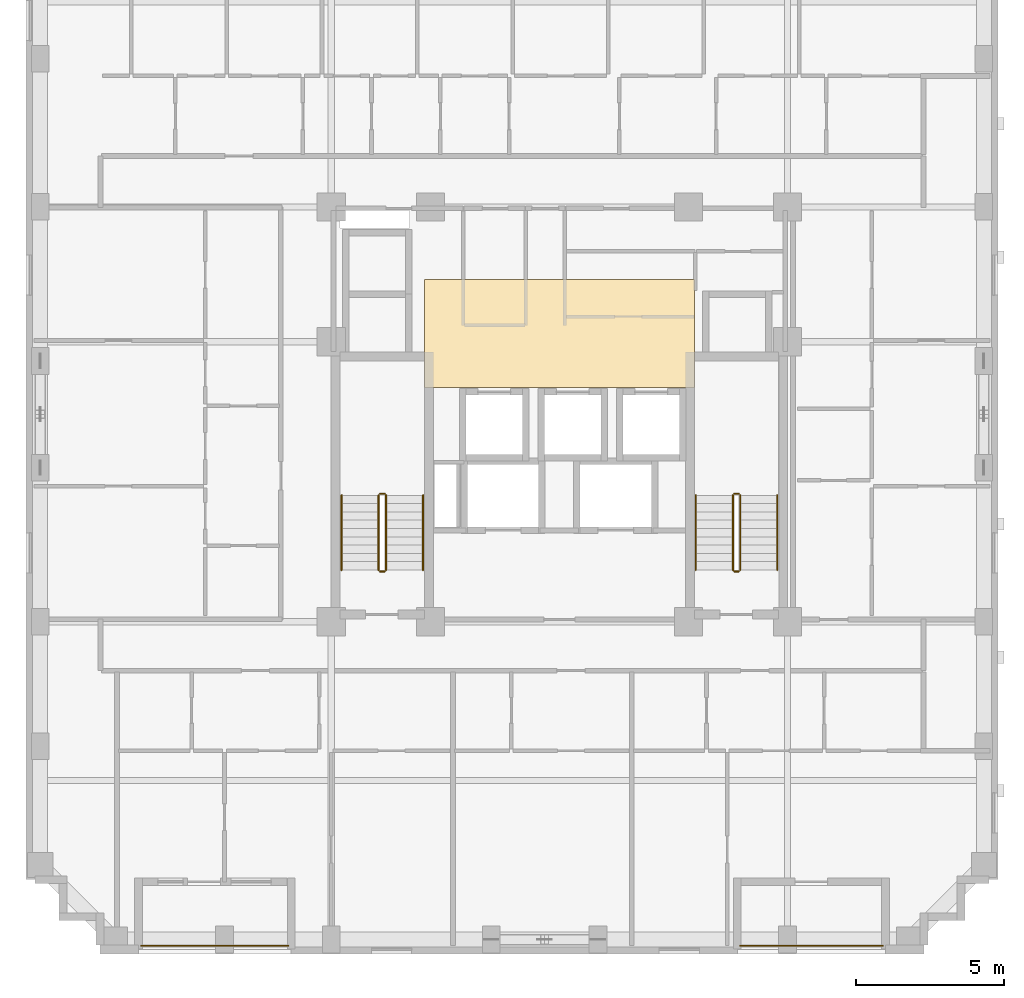
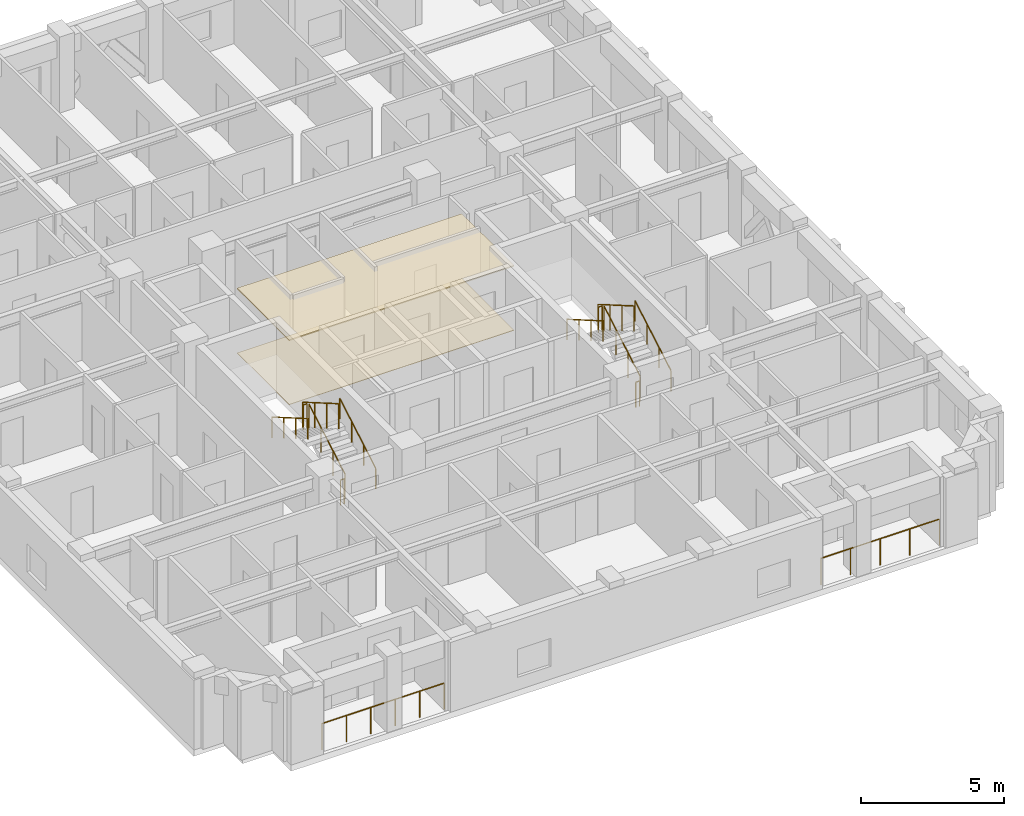
# One storey, part 10 of 11: 14 railings, 2 coverings.
"""IFC4 building model written with IfcOpenShell, lengths in metres."""

from ifc_helpers import new_model, si_unit, derived_unit, direction, frame, origin, origin_2d, place, context, subcontext, project, spatial, polyline, circle, outline, extrude, material, layer, layer_set, type_object, element, save


model = new_model("IFC4")

# Units and contexts
model_context = context("Model", 3, precision=1e-05, world=origin(), true_north=direction((0.0, 1.0)))
body_context = subcontext(model_context, "Body", "Model", "MODEL_VIEW")
ifc_project = project(units=[si_unit("LENGTHUNIT", "METRE"), si_unit("AREAUNIT", "SQUARE_METRE"), si_unit("VOLUMEUNIT", "CUBIC_METRE"), si_unit("PLANEANGLEUNIT", "RADIAN"), si_unit("MASSUNIT", "GRAM", prefix="KILO"), derived_unit("THERMALTRANSMITTANCEUNIT", [(si_unit("MASSUNIT", "GRAM", prefix="KILO"), 1), (si_unit("TIMEUNIT", "SECOND"), -3), (si_unit("THERMODYNAMICTEMPERATUREUNIT", "KELVIN"), -1)])], contexts=[model_context])

# Site, building, storey
site_placement = place(None, origin())
site = spatial("IfcSite", under=ifc_project, at=site_placement, CompositionType="ELEMENT")
building_placement = place(site_placement, origin())
building = spatial("IfcBuilding", under=site, at=building_placement, Name="Korrvale Station Residences", CompositionType="ELEMENT")
storey_placement = place(building_placement, frame((0.0, 0.0, 160.14990234375)))
storey = spatial("IfcBuildingStorey", under=building, at=storey_placement, Name="L46", CompositionType="ELEMENT", Elevation=160.14990234375)

# Coverings
ifc_material_1 = material(Name="Perforated acoustic mineral-fibre suspended ceiling", Category="gypsum")
ifc_layer_1 = layer(ifc_material_1, 0.050048828125, Name="Perforated acoustic mineral-fibre suspended ceiling")
ifc_layer_set_1 = layer_set([ifc_layer_1], Name="Perforated acoustic mineral-fibre suspended ceiling")
covering_type_1 = type_object("IfcCoveringType", Name="COV-CLG-AC60", PredefinedType="CEILING", material=ifc_layer_set_1)
covering_1_placement = place(storey_placement, frame((0.0, 0.0, 2.739990234375)))
element("IfcCovering", 1, at=covering_1_placement, inside=storey, type_object=covering_type_1, Name="L46 Elevator Lobby Acoustic Ceiling", PredefinedType="CEILING", context=body_context, shape_type="SweptSolid", body=[
    extrude(outline(polyline([(20.949951171875, 22.89990234375), (30.050048828125, 22.89990234375), (30.050048828125, 26.550048828125), (20.949951171875, 26.550048828125), (20.949951171875, 22.89990234375)])), origin(), (0.0, 0.0, 1.0), 0.050048828125),
])
ifc_material_2 = material(Name="Polished quartz-terrazzo lobby flooring", Category="masonry")
ifc_layer_2 = layer(ifc_material_2, 0.02001953125, Name="Polished quartz-terrazzo lobby flooring")
ifc_layer_set_2 = layer_set([ifc_layer_2], Name="Polished quartz-terrazzo lobby flooring")
covering_type_2 = type_object("IfcCoveringType", Name="COV-FLR-TER20", PredefinedType="FLOORING", material=ifc_layer_set_2)
covering_2_placement = place(storey_placement, origin())
element("IfcCovering", 2, at=covering_2_placement, inside=storey, type_object=covering_type_2, Name="L46 Elevator Lobby Terrazzo Flooring", PredefinedType="FLOORING", context=body_context, shape_type="SweptSolid", body=[
    extrude(outline(polyline([(20.949951171875, 22.89990234375), (30.050048828125, 22.89990234375), (30.050048828125, 26.550048828125), (20.949951171875, 26.550048828125), (20.949951171875, 22.89990234375)])), origin(), (0.0, 0.0, 1.0), 0.02001953125),
])

# Railings
ifc_material_3 = material(Name="Powder-coated aluminium picket loggia guard", Category="aluminium")
railing_type_1 = type_object("IfcRailingType", Name="RLG-BAL-1150", PredefinedType="GUARDRAIL", material=ifc_material_3)
railing_1_placement = place(storey_placement, frame((31.60009765625, 4.070068359375, 0.0)))
element("IfcRailing", 3, at=railing_1_placement, inside=storey, type_object=railing_type_1, Name="L46 Recessed Loggia Guardrail BAL-L46-S2", PredefinedType="GUARDRAIL", context=body_context, shape_type="SweptSolid", body=[
    extrude(circle(Radius=0.02392578125, at=origin_2d()), frame((0.0, 0.0, 1.1259765625), z_axis=(1.0, 0.0, 0.0), x_axis=(0.0, 1.0, 0.0)), (0.0, 0.0, 1.0), 4.7998046875),
    extrude(circle(Radius=0.02099609375, at=origin_2d()), origin(), (0.0, 0.0, 1.0), 1.101806640625),
    extrude(circle(Radius=0.02099609375, at=origin_2d()), frame((1.199951171875, 0.0, 0.0)), (0.0, 0.0, 1.0), 1.101806640625),
    extrude(circle(Radius=0.02099609375, at=origin_2d()), frame((2.39990234375, 0.0, 0.0)), (0.0, 0.0, 1.0), 1.101806640625),
    extrude(circle(Radius=0.02099609375, at=origin_2d()), frame((3.599853515625, 0.0, 0.0)), (0.0, 0.0, 1.0), 1.101806640625),
    extrude(circle(Radius=0.02099609375, at=origin_2d()), frame((4.7998046875, 0.0, 0.0)), (0.0, 0.0, 1.0), 1.101806640625),
])
railing_2_placement = place(storey_placement, frame((11.39990234375, 4.070068359375, 0.0)))
element("IfcRailing", 4, at=railing_2_placement, inside=storey, type_object=railing_type_1, Name="L46 Recessed Loggia Guardrail BAL-L46-S1", PredefinedType="GUARDRAIL", context=body_context, shape_type="SweptSolid", body=[
    extrude(circle(Radius=0.02392578125, at=origin_2d()), frame((0.0, 0.0, 1.1259765625), z_axis=(1.0, 0.0, 0.0), x_axis=(0.0, 1.0, 0.0)), (0.0, 0.0, 1.0), 4.9501953125),
    extrude(circle(Radius=0.02099609375, at=origin_2d()), origin(), (0.0, 0.0, 1.0), 1.101806640625),
    extrude(circle(Radius=0.02099609375, at=origin_2d()), frame((0.989990234375, 0.0, 0.0)), (0.0, 0.0, 1.0), 1.101806640625),
    extrude(circle(Radius=0.02099609375, at=origin_2d()), frame((1.97998046875, 0.0, 0.0)), (0.0, 0.0, 1.0), 1.101806640625),
    extrude(circle(Radius=0.02099609375, at=origin_2d()), frame((2.97021484375, 0.0, 0.0)), (0.0, 0.0, 1.0), 1.101806640625),
    extrude(circle(Radius=0.02099609375, at=origin_2d()), frame((3.960205078125, 0.0, 0.0)), (0.0, 0.0, 1.0), 1.101806640625),
    extrude(circle(Radius=0.02099609375, at=origin_2d()), frame((4.9501953125, 0.0, 0.0)), (0.0, 0.0, 1.0), 1.101806640625),
])
ifc_material_4 = material(Name="Brushed stainless-steel continuous stair handrail", Category="steel")
railing_type_2 = type_object("IfcRailingType", Name="RLG-SHND-900", PredefinedType="HANDRAIL", material=ifc_material_4)
railing_3_placement = place(storey_placement, frame((20.89990234375, 16.75, 0.16259765625)))
element("IfcRailing", 5, at=railing_3_placement, inside=storey, type_object=railing_type_2, Name="L46 ST-1 stair handrail 1", PredefinedType="HANDRAIL", context=body_context, shape_type="SweptSolid", body=[
    extrude(circle(Radius=0.02392578125, at=origin_2d()), frame((0.0, 0.0, 0.8759765625), z_axis=(0.0, 0.864913338283, 0.50192122615), x_axis=(-1.0, 0.0, 0.0)), (0.0, 0.0, 1.0), 2.91357421875),
    extrude(circle(Radius=0.02099609375, at=origin_2d()), origin(), (0.0, 0.0, 1.0), 0.851806640625),
    extrude(circle(Radius=0.02099609375, at=origin_2d()), frame((0.0, 0.840087890625, 0.487548828125)), (0.0, 0.0, 1.0), 0.851806640625),
    extrude(circle(Radius=0.02099609375, at=origin_2d()), frame((0.0, 1.679931640625, 0.974853515625)), (0.0, 0.0, 1.0), 0.851806640625),
    extrude(circle(Radius=0.02099609375, at=origin_2d()), frame((0.0, 2.52001953125, 1.46240234375)), (0.0, 0.0, 1.0), 0.851806640625),
])
railing_4_placement = place(storey_placement, frame((18.14990234375, 19.27001953125, 1.78759765625)))
element("IfcRailing", 6, at=railing_4_placement, inside=storey, type_object=railing_type_2, Name="L46 ST-1 stair handrail 2", PredefinedType="HANDRAIL", context=body_context, shape_type="SweptSolid", body=[
    extrude(circle(Radius=0.02392578125, at=origin_2d()), frame((0.0, 0.0, 0.8759765625), z_axis=(0.0, -0.864913338283, 0.50192122615), x_axis=(1.0, 0.0, 0.0)), (0.0, 0.0, 1.0), 2.91357421875),
    extrude(circle(Radius=0.02099609375, at=origin_2d()), origin(), (0.0, 0.0, 1.0), 0.851806640625),
    extrude(circle(Radius=0.02099609375, at=origin_2d()), frame((0.0, -0.840087890625, 0.487548828125)), (0.0, 0.0, 1.0), 0.851806640625),
    extrude(circle(Radius=0.02099609375, at=origin_2d()), frame((0.0, -1.679931640625, 0.974853515625)), (0.0, 0.0, 1.0), 0.851806640625),
    extrude(circle(Radius=0.02099609375, at=origin_2d()), frame((0.0, -2.52001953125, 1.46240234375)), (0.0, 0.0, 1.0), 0.851806640625),
])
railing_5_placement = place(storey_placement, frame((32.85009765625, 16.75, 0.16259765625)))
element("IfcRailing", 7, at=railing_5_placement, inside=storey, type_object=railing_type_2, Name="L46 ST-2 stair handrail 1", PredefinedType="HANDRAIL", context=body_context, shape_type="SweptSolid", body=[
    extrude(circle(Radius=0.02392578125, at=origin_2d()), frame((0.0, 0.0, 0.8759765625), z_axis=(0.0, 0.864913338283, 0.50192122615), x_axis=(-1.0, 0.0, 0.0)), (0.0, 0.0, 1.0), 2.91357421875),
    extrude(circle(Radius=0.02099609375, at=origin_2d()), origin(), (0.0, 0.0, 1.0), 0.851806640625),
    extrude(circle(Radius=0.02099609375, at=origin_2d()), frame((0.0, 0.840087890625, 0.487548828125)), (0.0, 0.0, 1.0), 0.851806640625),
    extrude(circle(Radius=0.02099609375, at=origin_2d()), frame((0.0, 1.679931640625, 0.974853515625)), (0.0, 0.0, 1.0), 0.851806640625),
    extrude(circle(Radius=0.02099609375, at=origin_2d()), frame((0.0, 2.52001953125, 1.46240234375)), (0.0, 0.0, 1.0), 0.851806640625),
])
railing_6_placement = place(storey_placement, frame((30.10009765625, 19.27001953125, 1.78759765625)))
element("IfcRailing", 8, at=railing_6_placement, inside=storey, type_object=railing_type_2, Name="L46 ST-2 stair handrail 2", PredefinedType="HANDRAIL", context=body_context, shape_type="SweptSolid", body=[
    extrude(circle(Radius=0.02392578125, at=origin_2d()), frame((0.0, 0.0, 0.8759765625), z_axis=(0.0, -0.864913338283, 0.50192122615), x_axis=(1.0, 0.0, 0.0)), (0.0, 0.0, 1.0), 2.91357421875),
    extrude(circle(Radius=0.02099609375, at=origin_2d()), origin(), (0.0, 0.0, 1.0), 0.851806640625),
    extrude(circle(Radius=0.02099609375, at=origin_2d()), frame((0.0, -0.840087890625, 0.487548828125)), (0.0, 0.0, 1.0), 0.851806640625),
    extrude(circle(Radius=0.02099609375, at=origin_2d()), frame((0.0, -1.679931640625, 0.974853515625)), (0.0, 0.0, 1.0), 0.851806640625),
    extrude(circle(Radius=0.02099609375, at=origin_2d()), frame((0.0, -2.52001953125, 1.46240234375)), (0.0, 0.0, 1.0), 0.851806640625),
])
ifc_material_5 = material(Name="Galvanised painted tubular steel stair guard", Category="steel")
railing_type_3 = type_object("IfcRailingType", Name="RLG-STR-1100", PredefinedType="GUARDRAIL", material=ifc_material_5)
railing_7_placement = place(storey_placement, frame((19.64990234375, 16.75, 0.16259765625)))
element("IfcRailing", 9, at=railing_7_placement, inside=storey, type_object=railing_type_3, Name="L46 ST-1 stair guard 1", PredefinedType="GUARDRAIL", context=body_context, shape_type="SweptSolid", body=[
    extrude(circle(Radius=0.02392578125, at=origin_2d()), frame((0.0, 0.0, 1.076171875), z_axis=(0.0, 0.864913338283, 0.50192122615), x_axis=(-1.0, 0.0, 0.0)), (0.0, 0.0, 1.0), 2.91357421875),
    extrude(circle(Radius=0.02099609375, at=origin_2d()), origin(), (0.0, 0.0, 1.0), 1.052001953125),
    extrude(circle(Radius=0.02099609375, at=origin_2d()), frame((0.0, 0.840087890625, 0.487548828125)), (0.0, 0.0, 1.0), 1.052001953125),
    extrude(circle(Radius=0.02099609375, at=origin_2d()), frame((0.0, 1.679931640625, 0.974853515625)), (0.0, 0.0, 1.0), 1.052001953125),
    extrude(circle(Radius=0.02099609375, at=origin_2d()), frame((0.0, 2.52001953125, 1.46240234375)), (0.0, 0.0, 1.0), 1.052001953125),
])
railing_8_placement = place(storey_placement, frame((19.60009765625, 19.320068359375, 1.625)))
element("IfcRailing", 10, at=railing_8_placement, inside=storey, type_object=railing_type_3, Name="L46 ST-1 stair guard 2", PredefinedType="GUARDRAIL", context=body_context, shape_type="SweptSolid", body=[
    extrude(circle(Radius=0.02392578125, at=origin_2d()), frame((0.0, 0.0, 1.076171875), z_axis=(-1.0, 0.0, 0.0), x_axis=(0.0, -1.0, 0.0)), (0.0, 0.0, 1.0), 0.150146484375),
    extrude(circle(Radius=0.02099609375, at=origin_2d()), origin(), (0.0, 0.0, 1.0), 1.052001953125),
    extrude(circle(Radius=0.02099609375, at=origin_2d()), frame((-0.150146484375, 0.0, 0.0)), (0.0, 0.0, 1.0), 1.052001953125),
])
railing_9_placement = place(storey_placement, frame((19.39990234375, 19.27001953125, 1.78759765625)))
element("IfcRailing", 11, at=railing_9_placement, inside=storey, type_object=railing_type_3, Name="L46 ST-1 stair guard 3", PredefinedType="GUARDRAIL", context=body_context, shape_type="SweptSolid", body=[
    extrude(circle(Radius=0.02392578125, at=origin_2d()), frame((0.0, 0.0, 1.076171875), z_axis=(0.0, -0.864913338283, 0.50192122615), x_axis=(1.0, 0.0, 0.0)), (0.0, 0.0, 1.0), 2.91357421875),
    extrude(circle(Radius=0.02099609375, at=origin_2d()), origin(), (0.0, 0.0, 1.0), 1.052001953125),
    extrude(circle(Radius=0.02099609375, at=origin_2d()), frame((0.0, -0.840087890625, 0.487548828125)), (0.0, 0.0, 1.0), 1.052001953125),
    extrude(circle(Radius=0.02099609375, at=origin_2d()), frame((0.0, -1.679931640625, 0.974853515625)), (0.0, 0.0, 1.0), 1.052001953125),
    extrude(circle(Radius=0.02099609375, at=origin_2d()), frame((0.0, -2.52001953125, 1.46240234375)), (0.0, 0.0, 1.0), 1.052001953125),
])
railing_10_placement = place(storey_placement, frame((19.60009765625, 16.699951171875, 0.0)))
element("IfcRailing", 12, at=railing_10_placement, inside=storey, type_object=railing_type_3, Name="L46 ST-1 stair guard 4", PredefinedType="GUARDRAIL", context=body_context, shape_type="SweptSolid", body=[
    extrude(circle(Radius=0.02392578125, at=origin_2d()), frame((0.0, 0.0, 1.076171875), z_axis=(-1.0, 0.0, 0.0), x_axis=(0.0, -1.0, 0.0)), (0.0, 0.0, 1.0), 0.150146484375),
    extrude(circle(Radius=0.02099609375, at=origin_2d()), origin(), (0.0, 0.0, 1.0), 1.052001953125),
    extrude(circle(Radius=0.02099609375, at=origin_2d()), frame((-0.150146484375, 0.0, 0.0)), (0.0, 0.0, 1.0), 1.052001953125),
])
railing_11_placement = place(storey_placement, frame((31.60009765625, 16.75, 0.16259765625)))
element("IfcRailing", 13, at=railing_11_placement, inside=storey, type_object=railing_type_3, Name="L46 ST-2 stair guard 1", PredefinedType="GUARDRAIL", context=body_context, shape_type="SweptSolid", body=[
    extrude(circle(Radius=0.02392578125, at=origin_2d()), frame((0.0, 0.0, 1.076171875), z_axis=(0.0, 0.864913338283, 0.50192122615), x_axis=(-1.0, 0.0, 0.0)), (0.0, 0.0, 1.0), 2.91357421875),
    extrude(circle(Radius=0.02099609375, at=origin_2d()), origin(), (0.0, 0.0, 1.0), 1.052001953125),
    extrude(circle(Radius=0.02099609375, at=origin_2d()), frame((0.0, 0.840087890625, 0.487548828125)), (0.0, 0.0, 1.0), 1.052001953125),
    extrude(circle(Radius=0.02099609375, at=origin_2d()), frame((0.0, 1.679931640625, 0.974853515625)), (0.0, 0.0, 1.0), 1.052001953125),
    extrude(circle(Radius=0.02099609375, at=origin_2d()), frame((0.0, 2.52001953125, 1.46240234375)), (0.0, 0.0, 1.0), 1.052001953125),
])
railing_12_placement = place(storey_placement, frame((31.550048828125, 19.320068359375, 1.625)))
element("IfcRailing", 14, at=railing_12_placement, inside=storey, type_object=railing_type_3, Name="L46 ST-2 stair guard 2", PredefinedType="GUARDRAIL", context=body_context, shape_type="SweptSolid", body=[
    extrude(circle(Radius=0.02392578125, at=origin_2d()), frame((0.0, 0.0, 1.076171875), z_axis=(-1.0, 0.0, 0.0), x_axis=(0.0, -1.0, 0.0)), (0.0, 0.0, 1.0), 0.150146484375),
    extrude(circle(Radius=0.02099609375, at=origin_2d()), origin(), (0.0, 0.0, 1.0), 1.052001953125),
    extrude(circle(Radius=0.02099609375, at=origin_2d()), frame((-0.150146484375, 0.0, 0.0)), (0.0, 0.0, 1.0), 1.052001953125),
])
railing_13_placement = place(storey_placement, frame((31.35009765625, 19.27001953125, 1.78759765625)))
element("IfcRailing", 15, at=railing_13_placement, inside=storey, type_object=railing_type_3, Name="L46 ST-2 stair guard 3", PredefinedType="GUARDRAIL", context=body_context, shape_type="SweptSolid", body=[
    extrude(circle(Radius=0.02392578125, at=origin_2d()), frame((0.0, 0.0, 1.076171875), z_axis=(0.0, -0.864913338283, 0.50192122615), x_axis=(1.0, 0.0, 0.0)), (0.0, 0.0, 1.0), 2.91357421875),
    extrude(circle(Radius=0.02099609375, at=origin_2d()), origin(), (0.0, 0.0, 1.0), 1.052001953125),
    extrude(circle(Radius=0.02099609375, at=origin_2d()), frame((0.0, -0.840087890625, 0.487548828125)), (0.0, 0.0, 1.0), 1.052001953125),
    extrude(circle(Radius=0.02099609375, at=origin_2d()), frame((0.0, -1.679931640625, 0.974853515625)), (0.0, 0.0, 1.0), 1.052001953125),
    extrude(circle(Radius=0.02099609375, at=origin_2d()), frame((0.0, -2.52001953125, 1.46240234375)), (0.0, 0.0, 1.0), 1.052001953125),
])
railing_14_placement = place(storey_placement, frame((31.550048828125, 16.699951171875, 0.0)))
element("IfcRailing", 16, at=railing_14_placement, inside=storey, type_object=railing_type_3, Name="L46 ST-2 stair guard 4", PredefinedType="GUARDRAIL", context=body_context, shape_type="SweptSolid", body=[
    extrude(circle(Radius=0.02392578125, at=origin_2d()), frame((0.0, 0.0, 1.076171875), z_axis=(-1.0, 0.0, 0.0), x_axis=(0.0, -1.0, 0.0)), (0.0, 0.0, 1.0), 0.150146484375),
    extrude(circle(Radius=0.02099609375, at=origin_2d()), origin(), (0.0, 0.0, 1.0), 1.052001953125),
    extrude(circle(Radius=0.02099609375, at=origin_2d()), frame((-0.150146484375, 0.0, 0.0)), (0.0, 0.0, 1.0), 1.052001953125),
])

save(model, "model.ifc")
